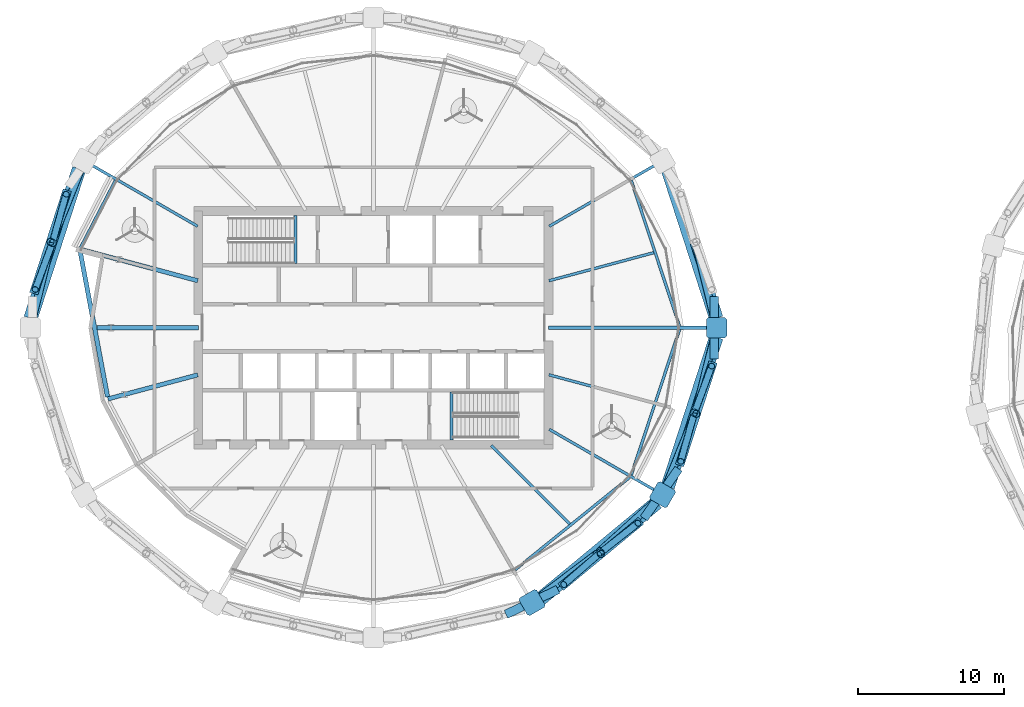
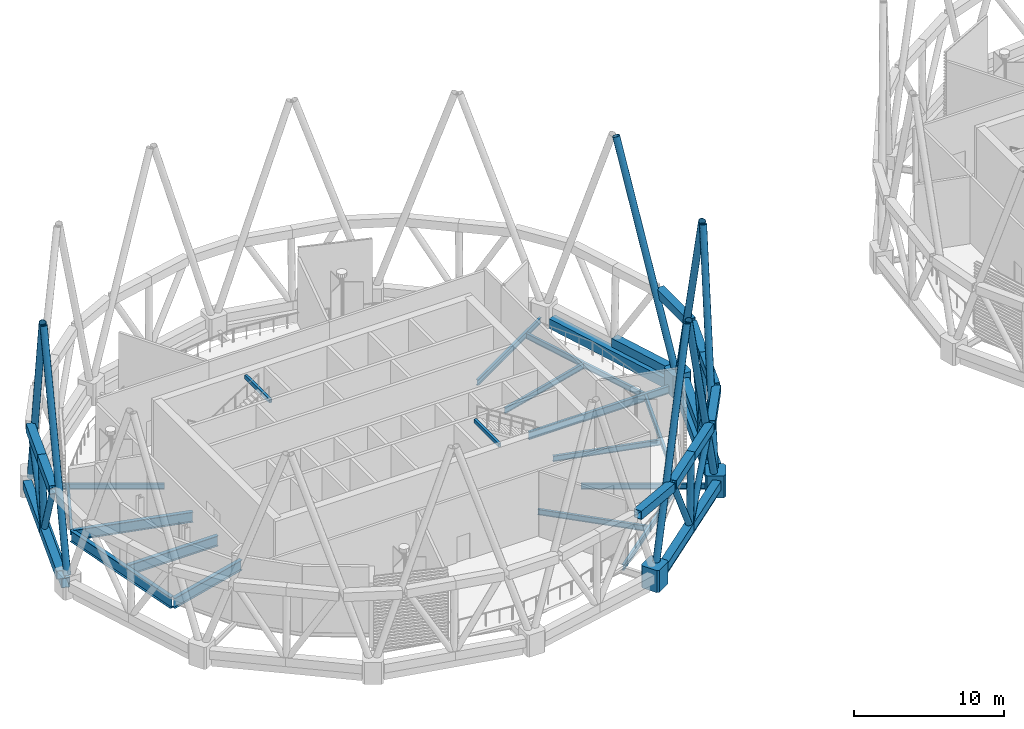
# One storey, part 4 of 22: 35 members, 21 beams.
"""IFC4 building model written with IfcOpenShell, lengths in metres."""

from ifc_helpers import new_model, si_unit, direction, frame, origin, origin_2d, place, context, subcontext, project, spatial, polyline, hollow_rectangle, hollow_circle, i_section, outline, extrude, material, material_profile, profile_set, type_object, element, save


model = new_model("IFC4")

# Units and contexts
model_context = context("Model", 3, precision=1e-05, world=origin(), true_north=direction((0.0, 1.0)))
body_context = subcontext(model_context, "Body", "Model", "MODEL_VIEW")
ifc_project = project(units=[si_unit("LENGTHUNIT", "METRE"), si_unit("AREAUNIT", "SQUARE_METRE"), si_unit("VOLUMEUNIT", "CUBIC_METRE"), si_unit("PLANEANGLEUNIT", "RADIAN"), si_unit("MASSUNIT", "GRAM", prefix="KILO")], contexts=[model_context])

# Site, building, storey
site_placement = place(None, origin())
site = spatial("IfcSite", under=ifc_project, at=site_placement, CompositionType="ELEMENT")
building_placement = place(site_placement, origin())
building = spatial("IfcBuilding", under=site, at=building_placement, Name="Rimbun Link Towers", CompositionType="ELEMENT")
storey_placement = place(building_placement, frame((0.0, 0.0, 204.5)))
storey = spatial("IfcBuildingStorey", under=building, at=storey_placement, Name="L50", CompositionType="ELEMENT", Elevation=204.5)

# Members
ifc_material_1 = material(Name="Steel S460N", Category="steel")
ifc_material_profile_1 = material_profile(ifc_material_1, hollow_rectangle(XDim=0.60009765625, YDim=0.699951171875, WallThickness=0.034912109375, at=origin_2d()), Name="Belt truss chord BOX 600x700x35")
ifc_profile_set_1 = profile_set([ifc_material_profile_1], Name="Steel S460N")
member_type_1 = type_object("IfcMemberType", Name="Belt truss chord BOX 600x700x35", PredefinedType="CHORD", material=ifc_profile_set_1)
member_1_placement = place(storey_placement, frame((-8.388916015625, -2.129638671875, 6.0), z_axis=(0.0, 1.0, 0.0), x_axis=(-1.0, 0.0, 0.0)))
element("IfcMember", 1, at=member_1_placement, inside=storey, type_object=member_type_1, Name="Belt truss chord T1 L50 top 00", PredefinedType="CHORD", context=body_context, shape_type="SweptSolid", body=[
    extrude(hollow_rectangle(XDim=0.60009765625, YDim=0.699951171875, WallThickness=0.034912109375, at=origin_2d()), origin(), (0.0, 0.0, 1.0), 4.25927734375),
])
member_2_placement = place(storey_placement, frame((-22.663818359375, -19.638427734375, 6.0), z_axis=(0.902203286827, 0.431311058564, 0.0), x_axis=(-0.431311058564, 0.902203286827, 0.0)))
element("IfcMember", 2, at=member_2_placement, inside=storey, type_object=member_type_1, Name="Belt truss chord T1 L50 top 10", PredefinedType="CHORD", context=body_context, shape_type="SweptSolid", body=[
    extrude(hollow_rectangle(XDim=0.60009765625, YDim=0.699951171875, WallThickness=0.034912109375, at=origin_2d()), origin(), (0.0, 0.0, 1.0), 3.947509765625),
])
member_3_placement = place(storey_placement, frame((-13.212890625, -13.066650390625, 6.0), z_axis=(0.572589892048, 0.819841945453, 0.0), x_axis=(-0.819841945453, 0.572589892048, 0.0)))
element("IfcMember", 3, at=member_3_placement, inside=storey, type_object=member_type_1, Name="Belt truss chord T1 L50 top 11", PredefinedType="CHORD", context=body_context, shape_type="SweptSolid", body=[
    extrude(hollow_rectangle(XDim=0.60009765625, YDim=0.699951171875, WallThickness=0.034912109375, at=origin_2d()), origin(), (0.0, 0.0, 1.0), 4.152099609375),
])
for number, where, z_axis, x_axis, name in (
    (4, (-8.088134765625, 0.702392578125, 0.18994140625), (-0.30856343283, 0.951203767823, 0.0), (-0.951203767823, -0.30856343283, 0.0), "Belt truss chord T1 L50 bottom 00"),
    (5, (-52.0869140625, 10.951416015625, 0.18994140625), (-0.308604434273, -0.951190466283, 0.0), (0.951190466283, -0.308604434273, 0.0), "Belt truss chord T1 L50 bottom 10"),
    (6, (-53.74951171875, 5.826904296875, 0.18994140625), (-0.30856343283, -0.951203767823, 0.0), (0.951203767823, -0.30856343283, 0.0), "Belt truss chord T1 L50 bottom 11"),
):
    element("IfcMember", number, at=place(storey_placement, frame(where, z_axis=z_axis, x_axis=x_axis)), inside=storey, type_object=member_type_1, Name=name, PredefinedType="CHORD", context=body_context, shape_type="SweptSolid", body=[
        extrude(hollow_rectangle(XDim=0.60009765625, YDim=0.699951171875, WallThickness=0.034912109375, at=origin_2d()), origin(), (0.0, 0.0, 1.0), 5.387451171875),
    ])
member_4_placement = place(storey_placement, frame((-52.729736328125, 9.43212890625, 6.0), z_axis=(-0.308583287774, -0.951197326798, 0.0), x_axis=(0.951197326798, -0.308583287774, 0.0)))
element("IfcMember", 7, at=member_4_placement, inside=storey, type_object=member_type_1, Name="Belt truss chord T1 L50 top 22", PredefinedType="CHORD", context=body_context, shape_type="SweptSolid", body=[
    extrude(hollow_rectangle(XDim=0.60009765625, YDim=0.699951171875, WallThickness=0.034912109375, at=origin_2d()), origin(), (0.0, 0.0, 1.0), 3.722412109375),
])
member_5_placement = place(storey_placement, frame((-53.87841796875, 5.891357421875, 6.0), z_axis=(-0.30857357465, -0.951200477832, 0.0), x_axis=(0.951200477832, -0.30857357465, 0.0)))
element("IfcMember", 8, at=member_5_placement, inside=storey, type_object=member_type_1, Name="Belt truss chord T1 L50 top 23", PredefinedType="CHORD", context=body_context, shape_type="SweptSolid", body=[
    extrude(hollow_rectangle(XDim=0.60009765625, YDim=0.699951171875, WallThickness=0.034912109375, at=origin_2d()), origin(), (0.0, 0.0, 1.0), 3.727294921875),
])
for number, where, z_axis, x_axis, name in (
    (9, (-20.173583984375, -18.70166015625, 0.18994140625), (0.770640371159, 0.637270286723, 0.0), (-0.637270286723, 0.770640371159, 0.0), "Belt truss chord T1 L50 bottom 20"),
    (10, (-16.185546875, -15.40380859375, 0.18994140625), (0.770640371159, 0.637270286723, 0.0), (-0.637270286723, 0.770640371159, 0.0), "Belt truss chord T1 L50 bottom 21"),
):
    element("IfcMember", number, at=place(storey_placement, frame(where, z_axis=z_axis, x_axis=x_axis)), inside=storey, type_object=member_type_1, Name=name, PredefinedType="CHORD", context=body_context, shape_type="SweptSolid", body=[
        extrude(hollow_rectangle(XDim=0.60009765625, YDim=0.699951171875, WallThickness=0.034912109375, at=origin_2d()), origin(), (0.0, 0.0, 1.0), 5.175048828125),
    ])
member_6_placement = place(storey_placement, frame((-18.9091796875, -17.768310546875, 6.0), z_axis=(0.770625211555, 0.637288618536, 0.0), x_axis=(-0.637288618536, 0.770625211555, 0.0)))
element("IfcMember", 11, at=member_6_placement, inside=storey, type_object=member_type_1, Name="Belt truss chord T1 L50 top 32", PredefinedType="CHORD", context=body_context, shape_type="SweptSolid", body=[
    extrude(hollow_rectangle(XDim=0.60009765625, YDim=0.699951171875, WallThickness=0.034912109375, at=origin_2d()), origin(), (0.0, 0.0, 1.0), 3.563232421875),
])
member_7_placement = place(storey_placement, frame((-16.163330078125, -15.49755859375, 6.0), z_axis=(0.77064075529, 0.6372698222, 0.0), x_axis=(-0.6372698222, 0.77064075529, 0.0)))
element("IfcMember", 12, at=member_7_placement, inside=storey, type_object=member_type_1, Name="Belt truss chord T1 L50 top 33", PredefinedType="CHORD", context=body_context, shape_type="SweptSolid", body=[
    extrude(hollow_rectangle(XDim=0.60009765625, YDim=0.699951171875, WallThickness=0.034912109375, at=origin_2d()), origin(), (0.0, 0.0, 1.0), 3.5732421875),
])
for number, where, z_axis, x_axis, name in (
    (13, (-11.4130859375, -10.951416015625, 0.18994140625), (0.308604434273, 0.951190466283, 0.0), (-0.951190466283, 0.308604434273, 0.0), "Belt truss chord T1 L50 bottom 22"),
    (14, (-9.75048828125, -5.826904296875, 0.18994140625), (0.30856343283, 0.951203767823, 0.0), (-0.951203767823, 0.30856343283, 0.0), "Belt truss chord T1 L50 bottom 23"),
):
    element("IfcMember", number, at=place(storey_placement, frame(where, z_axis=z_axis, x_axis=x_axis)), inside=storey, type_object=member_type_1, Name=name, PredefinedType="CHORD", context=body_context, shape_type="SweptSolid", body=[
        extrude(hollow_rectangle(XDim=0.60009765625, YDim=0.699951171875, WallThickness=0.034912109375, at=origin_2d()), origin(), (0.0, 0.0, 1.0), 5.387451171875),
    ])
member_8_placement = place(storey_placement, frame((-10.770263671875, -9.43212890625, 6.0), z_axis=(0.308583287774, 0.951197326798, 0.0), x_axis=(-0.951197326798, 0.308583287774, 0.0)))
element("IfcMember", 15, at=member_8_placement, inside=storey, type_object=member_type_1, Name="Belt truss chord T1 L50 top 34", PredefinedType="CHORD", context=body_context, shape_type="SweptSolid", body=[
    extrude(hollow_rectangle(XDim=0.60009765625, YDim=0.699951171875, WallThickness=0.034912109375, at=origin_2d()), origin(), (0.0, 0.0, 1.0), 3.722412109375),
])
member_9_placement = place(storey_placement, frame((-9.62158203125, -5.891357421875, 6.0), z_axis=(0.30857357465, 0.951200477832, 0.0), x_axis=(-0.951200477832, 0.30857357465, 0.0)))
element("IfcMember", 16, at=member_9_placement, inside=storey, type_object=member_type_1, Name="Belt truss chord T1 L50 top 35", PredefinedType="CHORD", context=body_context, shape_type="SweptSolid", body=[
    extrude(hollow_rectangle(XDim=0.60009765625, YDim=0.699951171875, WallThickness=0.034912109375, at=origin_2d()), origin(), (0.0, 0.0, 1.0), 3.727294921875),
])
ifc_material_2 = material(Name="Steel S355J2H", Category="steel")
ifc_material_profile_2 = material_profile(ifc_material_2, hollow_circle(Radius=0.228515625, WallThickness=0.01611328125, at=origin_2d()), Name="Belt truss diagonal CHS 457x16")
ifc_profile_set_2 = profile_set([ifc_material_profile_2], Name="Steel S355J2H")
member_type_2 = type_object("IfcMemberType", Name="Belt truss diagonal CHS 457x16", PredefinedType="BRACE", material=ifc_profile_set_2)
member_10_placement = place(storey_placement, frame((-53.698974609375, 6.005859375, 0.486572265625), z_axis=(0.143980864264, 0.511209391928, 0.84731013704), x_axis=(-0.962551144437, 0.271100155558, 0.0)))
element("IfcMember", 17, at=member_10_placement, inside=storey, type_object=member_type_2, Name="Belt truss diagonal T1 L50 10", PredefinedType="BRACE", context=body_context, shape_type="SweptSolid", body=[
    extrude(hollow_circle(Radius=0.228515625, WallThickness=0.01611328125, at=origin_2d()), origin(), (0.0, 0.0, 1.0), 6.156982421875),
])
member_11_placement = place(storey_placement, frame((-53.813232421875, 5.654052734375, 0.487548828125), z_axis=(-0.182205401006, -0.494040114174, 0.850132670488), x_axis=(0.938225630774, -0.34602408263, 0.0)))
element("IfcMember", 18, at=member_11_placement, inside=storey, type_object=member_type_2, Name="Belt truss diagonal T1 L50 11", PredefinedType="BRACE", context=body_context, shape_type="SweptSolid", body=[
    extrude(hollow_circle(Radius=0.228515625, WallThickness=0.01611328125, at=origin_2d()), origin(), (0.0, 0.0, 1.0), 6.134033203125),
])
member_12_placement = place(storey_placement, frame((-16.322509765625, -15.52294921875, 0.4892578125), z_axis=(-0.391243727325, -0.340044722254, 0.855159594868), x_axis=(0.655995008443, -0.754765227669, 0.0)))
element("IfcMember", 19, at=member_12_placement, inside=storey, type_object=member_type_2, Name="Belt truss diagonal T1 L50 20", PredefinedType="BRACE", context=body_context, shape_type="SweptSolid", body=[
    extrude(hollow_circle(Radius=0.228515625, WallThickness=0.01611328125, at=origin_2d()), origin(), (0.0, 0.0, 1.0), 6.093994140625),
])
member_13_placement = place(storey_placement, frame((-16.04541015625, -15.293701171875, 0.4912109375), z_axis=(0.40040567117, 0.314457462, 0.860692629855), x_axis=(-0.617643022203, 0.786458579407, 0.0)))
element("IfcMember", 20, at=member_13_placement, inside=storey, type_object=member_type_2, Name="Belt truss diagonal T1 L50 21", PredefinedType="BRACE", context=body_context, shape_type="SweptSolid", body=[
    extrude(hollow_circle(Radius=0.228515625, WallThickness=0.01611328125, at=origin_2d()), origin(), (0.0, 0.0, 1.0), 6.05029296875),
])
member_14_placement = place(storey_placement, frame((-9.801025390625, -6.005859375, 0.486572265625), z_axis=(-0.143980864264, -0.511209391928, 0.84731013704), x_axis=(0.962551144437, -0.271100155558, 0.0)))
element("IfcMember", 21, at=member_14_placement, inside=storey, type_object=member_type_2, Name="Belt truss diagonal T1 L50 22", PredefinedType="BRACE", context=body_context, shape_type="SweptSolid", body=[
    extrude(hollow_circle(Radius=0.228515625, WallThickness=0.01611328125, at=origin_2d()), origin(), (0.0, 0.0, 1.0), 6.156982421875),
])
member_15_placement = place(storey_placement, frame((-9.686767578125, -5.654052734375, 0.487548828125), z_axis=(0.182205401006, 0.494040114174, 0.850132670488), x_axis=(-0.938225630774, 0.34602408263, 0.0)))
element("IfcMember", 22, at=member_15_placement, inside=storey, type_object=member_type_2, Name="Belt truss diagonal T1 L50 23", PredefinedType="BRACE", context=body_context, shape_type="SweptSolid", body=[
    extrude(hollow_circle(Radius=0.228515625, WallThickness=0.01611328125, at=origin_2d()), origin(), (0.0, 0.0, 1.0), 6.134033203125),
])
ifc_material_3 = material(Name="Steel S355J2H", Category="steel")
ifc_material_profile_3 = material_profile(ifc_material_3, hollow_circle(Radius=0.25390625, WallThickness=0.02001953125, at=origin_2d()), Name="Belt truss strut CHS 508x20")
ifc_profile_set_3 = profile_set([ifc_material_profile_3], Name="Steel S355J2H")
member_type_3 = type_object("IfcMemberType", Name="Belt truss strut CHS 508x20", PredefinedType="STRUT", material=ifc_profile_set_3)
member_16_placement = place(storey_placement, frame((-53.74951171875, 5.826904296875, 0.5400390625), z_axis=(-0.025216918949, 0.012608459474, 0.999602487866), x_axis=(-0.4472135955, -0.894427191, 0.0)))
element("IfcMember", 23, at=member_16_placement, inside=storey, type_object=member_type_3, Name="Belt truss strut T1 L50 05", PredefinedType="STRUT", context=body_context, shape_type="SweptSolid", body=[
    extrude(hollow_circle(Radius=0.25390625, WallThickness=0.02001953125, at=origin_2d()), origin(), (0.0, 0.0, 1.0), 5.11181640625),
])
member_17_placement = place(storey_placement, frame((-16.185546875, -15.40380859375, 0.5400390625), z_axis=(0.004347053442, -0.018343610131, 0.999822291757), x_axis=(0.97305036996, 0.230592665798, 0.0)))
element("IfcMember", 24, at=member_17_placement, inside=storey, type_object=member_type_3, Name="Belt truss strut T1 L50 10", PredefinedType="STRUT", context=body_context, shape_type="SweptSolid", body=[
    extrude(hollow_circle(Radius=0.25390625, WallThickness=0.02001953125, at=origin_2d()), origin(), (0.0, 0.0, 1.0), 5.11083984375),
])
member_18_placement = place(storey_placement, frame((-9.75048828125, -5.826904296875, 0.5400390625), z_axis=(0.025216918949, -0.012608459474, 0.999602487866), x_axis=(0.4472135955, 0.894427191, 0.0)))
element("IfcMember", 25, at=member_18_placement, inside=storey, type_object=member_type_3, Name="Belt truss strut T1 L50 11", PredefinedType="STRUT", context=body_context, shape_type="SweptSolid", body=[
    extrude(hollow_circle(Radius=0.25390625, WallThickness=0.02001953125, at=origin_2d()), origin(), (0.0, 0.0, 1.0), 5.11181640625),
])
ifc_material_4 = material(Name="Steel S355J2H", Category="steel")
ifc_material_profile_4 = material_profile(ifc_material_4, hollow_circle(Radius=0.25390625, WallThickness=0.02001953125, at=origin_2d()), Name="Diagrid diagonal CHS 508x20")
ifc_profile_set_4 = profile_set([ifc_material_profile_4], Name="Steel S355J2H")
member_type_4 = type_object("IfcMemberType", Name="Diagrid diagonal CHS 508x20", PredefinedType="BRACE", material=ifc_profile_set_4)
for number, where, z_axis, x_axis, name in (
    (26, (-8.268310546875, -0.16015625, 0.471923828125), (-0.080351011618, -0.32036780129, 0.943879328531), (0.969957667809, -0.243273760726, 0.0), "Diagrid diagonal T1 L50-L54 00a"),
    (27, (-8.268310546875, 0.16015625, 0.471923828125), (-0.080351011618, 0.32036780129, 0.943879328531), (-0.969957667809, -0.243273760726, 0.0), "Diagrid diagonal T1 L50-L54 00b"),
):
    element("IfcMember", number, at=place(storey_placement, frame(where, z_axis=z_axis, x_axis=x_axis)), inside=storey, type_object=member_type_4, Name=name, PredefinedType="BRACE", context=body_context, shape_type="SweptSolid", body=[
        extrude(hollow_circle(Radius=0.25390625, WallThickness=0.02001953125, at=origin_2d()), origin(), (0.0, 0.0, 1.0), 17.4345703125),
    ])
member_19_placement = place(storey_placement, frame((-51.621826171875, 11.28759765625, 0.472900390625), z_axis=(-0.121200375121, -0.300762204759, 0.94596647153), x_axis=(0.927521358054, -0.373770157121, 0.0)))
element("IfcMember", 28, at=member_19_placement, inside=storey, type_object=member_type_4, Name="Diagrid diagonal T1 L50-L54 10b", PredefinedType="BRACE", context=body_context, shape_type="SweptSolid", body=[
    extrude(hollow_circle(Radius=0.25390625, WallThickness=0.02001953125, at=origin_2d()), origin(), (0.0, 0.0, 1.0), 17.39404296875),
])
member_20_placement = place(storey_placement, frame((-55.231689453125, 0.16015625, 0.471923828125), z_axis=(0.080351011618, 0.32036780129, 0.943879328531), x_axis=(-0.969957667809, 0.243273760726, 0.0)))
element("IfcMember", 29, at=member_20_placement, inside=storey, type_object=member_type_4, Name="Diagrid diagonal T1 L50-L54 12a", PredefinedType="BRACE", context=body_context, shape_type="SweptSolid", body=[
    extrude(hollow_circle(Radius=0.25390625, WallThickness=0.02001953125, at=origin_2d()), origin(), (0.0, 0.0, 1.0), 17.4345703125),
])
member_21_placement = place(storey_placement, frame((-20.75439453125, -18.73681640625, 0.475341796875), z_axis=(0.247706216349, 0.18708118863, 0.95060099897), x_axis=(-0.602680050735, 0.797982929921, 0.0)))
element("IfcMember", 30, at=member_21_placement, inside=storey, type_object=member_type_4, Name="Diagrid diagonal T1 L50-L54 20b", PredefinedType="BRACE", context=body_context, shape_type="SweptSolid", body=[
    extrude(hollow_circle(Radius=0.25390625, WallThickness=0.02001953125, at=origin_2d()), origin(), (0.0, 0.0, 1.0), 17.30419921875),
])
member_22_placement = place(storey_placement, frame((-12.05859375, -11.5458984375, 0.473388671875), z_axis=(-0.239655292138, -0.215862520358, 0.946556238823), x_axis=(0.669260599878, -0.743027758197, 0.0)))
element("IfcMember", 31, at=member_22_placement, inside=storey, type_object=member_type_4, Name="Diagrid diagonal T1 L50-L54 22a", PredefinedType="BRACE", context=body_context, shape_type="SweptSolid", body=[
    extrude(hollow_circle(Radius=0.25390625, WallThickness=0.02001953125, at=origin_2d()), origin(), (0.0, 0.0, 1.0), 17.38232421875),
])
member_23_placement = place(storey_placement, frame((-11.878173828125, -11.28759765625, 0.472900390625), z_axis=(0.121200375121, 0.300762204759, 0.94596647153), x_axis=(-0.927521358054, 0.373770157121, 0.0)))
element("IfcMember", 32, at=member_23_placement, inside=storey, type_object=member_type_4, Name="Diagrid diagonal T1 L50-L54 22b", PredefinedType="BRACE", context=body_context, shape_type="SweptSolid", body=[
    extrude(hollow_circle(Radius=0.25390625, WallThickness=0.02001953125, at=origin_2d()), origin(), (0.0, 0.0, 1.0), 17.39404296875),
])
ifc_material_5 = material(Name="Cast steel G20Mn5+QT, Rp0.2 300 MPa", Category="steel")
ifc_material_profile_5 = material_profile(ifc_material_5, outline(polyline([(0.699951171875, -0.570068359375), (0.699951171875, 0.570068359375), (0.570068359375, 0.699951171875), (-0.570068359375, 0.699951171875), (-0.699951171875, 0.570068359375), (-0.699951171875, -0.570068359375), (-0.570068359375, -0.699951171875), (0.570068359375, -0.699951171875), (0.699951171875, -0.570068359375)])), Name="NODE 1400x1400")
ifc_profile_set_5 = profile_set([ifc_material_profile_5], Name="Cast steel G20Mn5+QT, Rp0.2 300 MPa")
member_type_5 = type_object("IfcMemberType", Name="Diagrid node cast 1400", PredefinedType="USERDEFINED", material=ifc_profile_set_5)
for number, where, z_axis, x_axis, name in (
    (33, (-8.228271484375, 0.0, -0.89990234375), (0.0, 0.0, 1.0), (1.0, 0.0, 0.0), "Diagrid node L50 00"),
    (34, (-20.87841796875, -18.830322265625, -0.89990234375), (0.0, 0.0, 1.0), (0.5, -0.866025403784, 0.0), "Diagrid node L50 20"),
    (35, (-11.938720703125, -11.43798828125, -0.89990234375), (0.0, 0.0, 1.0), (0.866025403784, -0.5, 0.0), "Diagrid node L50 22"),
):
    element("IfcMember", number, at=place(storey_placement, frame(where, z_axis=z_axis, x_axis=x_axis)), inside=storey, type_object=member_type_5, Name=name, ObjectType="Diagrid node", PredefinedType="USERDEFINED", context=body_context, shape_type="SweptSolid", body=[
        extrude(outline(polyline([(0.699951171875, -0.570068359375), (0.699951171875, 0.570068359375), (0.570068359375, 0.699951171875), (-0.570068359375, 0.699951171875), (-0.699951171875, 0.570068359375), (-0.699951171875, -0.570068359375), (-0.570068359375, -0.699951171875), (0.570068359375, -0.699951171875), (0.699951171875, -0.570068359375)])), origin(), (0.0, 0.0, 1.0), 1.7998046875),
    ])

# Beams
ifc_material_6 = material(Name="Steel S355J2", Category="steel")
ifc_material_profile_6 = material_profile(ifc_material_6, hollow_rectangle(XDim=0.60009765625, YDim=0.800048828125, WallThickness=0.0400390625, at=origin_2d()), Name="Exoskeleton ring girder BOX 600x800x40")
ifc_profile_set_6 = profile_set([ifc_material_profile_6], Name="Steel S355J2")
beam_type_1 = type_object("IfcBeamType", Name="Exoskeleton ring girder BOX 600x800x40", PredefinedType="BEAM", material=ifc_profile_set_6)
for number, where, z_axis, x_axis, name in (
    (36, (-8.444091796875, 0.665771484375, -0.56005859375), (-0.308593479857, 0.951194020266, 0.0), (-0.951194020266, -0.308593479857, 0.0), "Exoskeleton ring girder L50 00"),
    (37, (-51.777099609375, 10.772216796875, -0.56005859375), (-0.308593479857, -0.951194020266, 0.0), (0.951194020266, -0.308593479857, 0.0), "Exoskeleton ring girder L50 05"),
):
    element("IfcBeam", number, at=place(storey_placement, frame(where, z_axis=z_axis, x_axis=x_axis)), inside=storey, type_object=beam_type_1, Name=name, PredefinedType="BEAM", context=body_context, shape_type="SweptSolid", body=[
        extrude(hollow_rectangle(XDim=0.60009765625, YDim=0.800048828125, WallThickness=0.0400390625, at=origin_2d()), origin(), (0.0, 0.0, 1.0), 10.625),
    ])
beam_1_placement = place(storey_placement, frame((-20.3388671875, -18.38427734375, -0.56005859375), z_axis=(0.770638716794, 0.637272287314, 0.0), x_axis=(-0.637272287314, 0.770638716794, 0.0)))
element("IfcBeam", 38, at=beam_1_placement, inside=storey, type_object=beam_type_1, Name="Exoskeleton ring girder L50 10", PredefinedType="BEAM", context=body_context, shape_type="SweptSolid", body=[
    extrude(hollow_rectangle(XDim=0.60009765625, YDim=0.800048828125, WallThickness=0.0400390625, at=origin_2d()), origin(), (0.0, 0.0, 1.0), 10.2001953125),
])
beam_2_placement = place(storey_placement, frame((-11.722900390625, -10.772216796875, -0.56005859375), z_axis=(0.308593479857, 0.951194020266, 0.0), x_axis=(-0.951194020266, 0.308593479857, 0.0)))
element("IfcBeam", 39, at=beam_2_placement, inside=storey, type_object=beam_type_1, Name="Exoskeleton ring girder L50 11", PredefinedType="BEAM", context=body_context, shape_type="SweptSolid", body=[
    extrude(hollow_rectangle(XDim=0.60009765625, YDim=0.800048828125, WallThickness=0.0400390625, at=origin_2d()), origin(), (0.0, 0.0, 1.0), 10.625),
])
ifc_material_7 = material(Name="Steel S355J2", Category="steel")
ifc_material_profile_7 = material_profile(ifc_material_7, hollow_rectangle(XDim=0.199951171875, YDim=0.300048828125, WallThickness=0.011962890625, at=origin_2d()), Name="BOX 300x200x12")
ifc_profile_set_7 = profile_set([ifc_material_profile_7], Name="Steel S355J2")
beam_type_2 = type_object("IfcBeamType", Name="Stair trimmer beam BOX 300x200x12", PredefinedType="BEAM", material=ifc_profile_set_7)
for number, where, z_axis, x_axis, name in (
    (40, (-37.10009765625, 7.699951171875, 5.7099609375), (0.0, -1.0, 0.0), (1.0, 0.0, 0.0), "L50 ST1 stair beam 1"),
    (41, (-26.39990234375, -7.699951171875, 5.7099609375), (0.0, 1.0, 0.0), (-1.0, 0.0, 0.0), "L50 ST2 stair beam 1"),
):
    element("IfcBeam", number, at=place(storey_placement, frame(where, z_axis=z_axis, x_axis=x_axis)), inside=storey, type_object=beam_type_2, Name=name, PredefinedType="BEAM", context=body_context, shape_type="SweptSolid", body=[
        extrude(hollow_rectangle(XDim=0.199951171875, YDim=0.300048828125, WallThickness=0.011962890625, at=origin_2d()), origin(), (0.0, 0.0, 1.0), 3.300048828125),
    ])
ifc_material_8 = material(Name="Steel S355J2", Category="steel")
ifc_material_profile_8 = material_profile(ifc_material_8, i_section(OverallWidth=0.18994140625, OverallDepth=0.453369140625, WebThickness=0.008544921875, FlangeThickness=0.0126953125, at=origin_2d()), Name="UB 457x191x67")
ifc_profile_set_8 = profile_set([ifc_material_profile_8], Name="Steel S355J2")
beam_type_3 = type_object("IfcBeamType", Name="UB 457x191x67", PredefinedType="BEAM", material=ifc_profile_set_8)
beam_3_placement = place(storey_placement, frame((-19.724609375, 3.22216796875, -0.4267578125), z_axis=(0.965925341188, 0.258820855516, 0.0), x_axis=(-0.258820855516, 0.965925341188, 0.0)))
element("IfcBeam", 42, at=beam_3_placement, inside=storey, type_object=beam_type_3, Name="Radial beam T1 L50 01", PredefinedType="BEAM", context=body_context, shape_type="SweptSolid", body=[
    extrude(i_section(OverallWidth=0.18994140625, OverallDepth=0.453369140625, WebThickness=0.008544921875, FlangeThickness=0.0126953125, at=origin_2d()), origin(), (0.0, 0.0, 1.0), 7.437744140625),
])
for number, where, z_axis, x_axis, name in (
    (43, (-19.70166015625, 6.9560546875, -0.4267578125), (0.866022744967, 0.500004605178, 0.0), (-0.500004605178, 0.866022744967, 0.0), "Radial beam T1 L50 02"),
    (44, (-43.79833984375, 6.9560546875, -0.4267578125), (-0.866022744967, 0.500004605178, 0.0), (-0.500004605178, -0.866022744967, 0.0), "Radial beam T1 L50 10"),
):
    element("IfcBeam", number, at=place(storey_placement, frame(where, z_axis=z_axis, x_axis=x_axis)), inside=storey, type_object=beam_type_3, Name=name, PredefinedType="BEAM", context=body_context, shape_type="SweptSolid", body=[
        extrude(i_section(OverallWidth=0.18994140625, OverallDepth=0.453369140625, WebThickness=0.008544921875, FlangeThickness=0.0126953125, at=origin_2d()), origin(), (0.0, 0.0, 1.0), 8.4638671875),
    ])
beam_4_placement = place(storey_placement, frame((-23.68212890625, -8.06787109375, -0.4267578125), z_axis=(0.707106781187, -0.707106781187, 0.0), x_axis=(0.707106781187, 0.707106781187, 0.0)))
element("IfcBeam", 45, at=beam_4_placement, inside=storey, type_object=beam_type_3, Name="Radial beam T1 L50 21", PredefinedType="BEAM", context=body_context, shape_type="SweptSolid", body=[
    extrude(i_section(OverallWidth=0.18994140625, OverallDepth=0.453369140625, WebThickness=0.008544921875, FlangeThickness=0.0126953125, at=origin_2d()), origin(), (0.0, 0.0, 1.0), 7.60693359375),
])
beam_5_placement = place(storey_placement, frame((-19.70166015625, -6.9560546875, -0.4267578125), z_axis=(0.866022744967, -0.500004605178, 0.0), x_axis=(0.500004605178, 0.866022744967, 0.0)))
element("IfcBeam", 46, at=beam_5_placement, inside=storey, type_object=beam_type_3, Name="Radial beam T1 L50 22", PredefinedType="BEAM", context=body_context, shape_type="SweptSolid", body=[
    extrude(i_section(OverallWidth=0.18994140625, OverallDepth=0.453369140625, WebThickness=0.008544921875, FlangeThickness=0.0126953125, at=origin_2d()), origin(), (0.0, 0.0, 1.0), 8.4638671875),
])
beam_6_placement = place(storey_placement, frame((-19.724609375, -3.22216796875, -0.4267578125), z_axis=(0.965925341188, -0.258820855516, 0.0), x_axis=(0.258820855516, 0.965925341188, 0.0)))
element("IfcBeam", 47, at=beam_6_placement, inside=storey, type_object=beam_type_3, Name="Radial beam T1 L50 23", PredefinedType="BEAM", context=body_context, shape_type="SweptSolid", body=[
    extrude(i_section(OverallWidth=0.18994140625, OverallDepth=0.453369140625, WebThickness=0.008544921875, FlangeThickness=0.0126953125, at=origin_2d()), origin(), (0.0, 0.0, 1.0), 7.437744140625),
])
beam_7_placement = place(storey_placement, frame((-10.76953125, 0.11474609375, -0.4267578125), z_axis=(-0.314882629799, 0.949130617697, 0.0), x_axis=(-0.949130617697, -0.314882629799, 0.0)))
element("IfcBeam", 48, at=beam_7_placement, inside=storey, type_object=beam_type_3, Name="Edge beam T1 L50 00-02", PredefinedType="BEAM", context=body_context, shape_type="SweptSolid", body=[
    extrude(i_section(OverallWidth=0.18994140625, OverallDepth=0.453369140625, WebThickness=0.008544921875, FlangeThickness=0.0126953125, at=origin_2d()), origin(), (0.0, 0.0, 1.0), 10.51123046875),
])
beam_8_placement = place(storey_placement, frame((-49.43603515625, 10.09521484375, -0.4267578125), z_axis=(-0.460712643136, -0.88754935663, 0.0), x_axis=(0.88754935663, -0.460712643136, 0.0)))
element("IfcBeam", 49, at=beam_8_placement, inside=storey, type_object=beam_type_3, Name="Edge beam T1 L50 10", PredefinedType="BEAM", context=body_context, shape_type="SweptSolid", body=[
    extrude(i_section(OverallWidth=0.18994140625, OverallDepth=0.453369140625, WebThickness=0.008544921875, FlangeThickness=0.0126953125, at=origin_2d()), origin(), (0.0, 0.0, 1.0), 5.297119140625),
])
beam_9_placement = place(storey_placement, frame((-22.04052734375, -16.587646484375, -0.4267578125), z_axis=(0.778028058052, 0.628229528822, 0.0), x_axis=(-0.628229528822, 0.778028058052, 0.0)))
element("IfcBeam", 50, at=beam_9_placement, inside=storey, type_object=beam_type_3, Name="Edge beam T1 L50 20-22", PredefinedType="BEAM", context=body_context, shape_type="SweptSolid", body=[
    extrude(i_section(OverallWidth=0.18994140625, OverallDepth=0.453369140625, WebThickness=0.008544921875, FlangeThickness=0.0126953125, at=origin_2d()), origin(), (0.0, 0.0, 1.0), 10.090087890625),
])
beam_10_placement = place(storey_placement, frame((-14.079345703125, -10.09130859375, -0.4267578125), z_axis=(0.314882629799, 0.949130617697, 0.0), x_axis=(-0.949130617697, 0.314882629799, 0.0)))
element("IfcBeam", 51, at=beam_10_placement, inside=storey, type_object=beam_type_3, Name="Edge beam T1 L50 22-00", PredefinedType="BEAM", context=body_context, shape_type="SweptSolid", body=[
    extrude(i_section(OverallWidth=0.18994140625, OverallDepth=0.453369140625, WebThickness=0.008544921875, FlangeThickness=0.0126953125, at=origin_2d()), origin(), (0.0, 0.0, 1.0), 10.51123046875),
])
ifc_material_9 = material(Name="Steel S355J2", Category="steel")
ifc_material_profile_9 = material_profile(ifc_material_9, i_section(OverallWidth=0.2275390625, OverallDepth=0.6025390625, WebThickness=0.010498046875, FlangeThickness=0.014892578125, at=origin_2d()), Name="UB 610x229x101")
ifc_profile_set_9 = profile_set([ifc_material_profile_9], Name="Steel S355J2")
beam_type_4 = type_object("IfcBeamType", Name="UB 610x229x101", PredefinedType="BEAM", material=ifc_profile_set_9)
beam_11_placement = place(storey_placement, frame((-19.7490234375, 0.0, -0.501220703125), z_axis=(1.0, 0.0, 0.0), x_axis=(0.0, 1.0, 0.0)))
element("IfcBeam", 52, at=beam_11_placement, inside=storey, type_object=beam_type_4, Name="Radial beam T1 L50 00", PredefinedType="BEAM", context=body_context, shape_type="SweptSolid", body=[
    extrude(i_section(OverallWidth=0.2275390625, OverallDepth=0.6025390625, WebThickness=0.010498046875, FlangeThickness=0.014892578125, at=origin_2d()), origin(), (0.0, 0.0, 1.0), 11.020751953125),
])
ifc_material_10 = material(Name="Steel S355J2", Category="steel")
ifc_material_profile_10 = material_profile(ifc_material_10, i_section(OverallWidth=0.29248046875, OverallDepth=0.8408203125, WebThickness=0.0126953125, FlangeThickness=0.021728515625, at=origin_2d()), Name="UB 838x292x194")
ifc_profile_set_10 = profile_set([ifc_material_profile_10], Name="Steel S355J2")
beam_type_5 = type_object("IfcBeamType", Name="UB 838x292x194", PredefinedType="BEAM", material=ifc_profile_set_10)
beam_12_placement = place(storey_placement, frame((-43.788818359375, 3.225830078125, -0.620361328125), z_axis=(-0.96592329313, 0.258828498797, 0.0), x_axis=(-0.258828498797, -0.96592329313, 0.0)))
element("IfcBeam", 53, at=beam_12_placement, inside=storey, type_object=beam_type_5, Name="Radial beam T1 L50 11", PredefinedType="BEAM", context=body_context, shape_type="SweptSolid", body=[
    extrude(i_section(OverallWidth=0.29248046875, OverallDepth=0.8408203125, WebThickness=0.0126953125, FlangeThickness=0.021728515625, at=origin_2d()), origin(), (0.0, 0.0, 1.0), 8.275146484375),
])
beam_13_placement = place(storey_placement, frame((-43.7509765625, 0.0, -0.620361328125), z_axis=(-1.0, 0.0, 0.0), x_axis=(0.0, -1.0, 0.0)))
element("IfcBeam", 54, at=beam_13_placement, inside=storey, type_object=beam_type_5, Name="Radial beam T1 L50 12", PredefinedType="BEAM", context=body_context, shape_type="SweptSolid", body=[
    extrude(i_section(OverallWidth=0.29248046875, OverallDepth=0.8408203125, WebThickness=0.0126953125, FlangeThickness=0.021728515625, at=origin_2d()), origin(), (0.0, 0.0, 1.0), 6.95458984375),
])
beam_14_placement = place(storey_placement, frame((-43.788818359375, -3.225830078125, -0.620361328125), z_axis=(-0.965926505679, -0.258816509573, 0.0), x_axis=(0.258816509573, -0.965926505679, 0.0)))
element("IfcBeam", 55, at=beam_14_placement, inside=storey, type_object=beam_type_5, Name="Radial beam T1 L50 13", PredefinedType="BEAM", context=body_context, shape_type="SweptSolid", body=[
    extrude(i_section(OverallWidth=0.29248046875, OverallDepth=0.8408203125, WebThickness=0.0126953125, FlangeThickness=0.021728515625, at=origin_2d()), origin(), (0.0, 0.0, 1.0), 6.372802734375),
])
ifc_material_11 = material(Name="Steel S355J2", Category="steel")
ifc_material_profile_11 = material_profile(ifc_material_11, i_section(OverallWidth=0.305419921875, OverallDepth=0.91845703125, WebThickness=0.017333984375, FlangeThickness=0.02783203125, at=origin_2d()), Name="UB 914x305x253")
ifc_profile_set_11 = profile_set([ifc_material_profile_11], Name="Steel S355J2")
beam_type_6 = type_object("IfcBeamType", Name="UB 914x305x253", PredefinedType="BEAM", material=ifc_profile_set_11)
beam_15_placement = place(storey_placement, frame((-51.876708984375, 5.39208984375, -0.6591796875), z_axis=(0.184931071502, -0.982751493916, 0.0), x_axis=(0.982751493916, 0.184931071502, 0.0)))
element("IfcBeam", 56, at=beam_15_placement, inside=storey, type_object=beam_type_6, Name="Edge beam T1 L50 11-13", PredefinedType="BEAM", context=body_context, shape_type="SweptSolid", body=[
    extrude(i_section(OverallWidth=0.305419921875, OverallDepth=0.91845703125, WebThickness=0.017333984375, FlangeThickness=0.02783203125, at=origin_2d()), origin(), (0.0, 0.0, 1.0), 10.300048828125),
])

save(model, "model.ifc")
